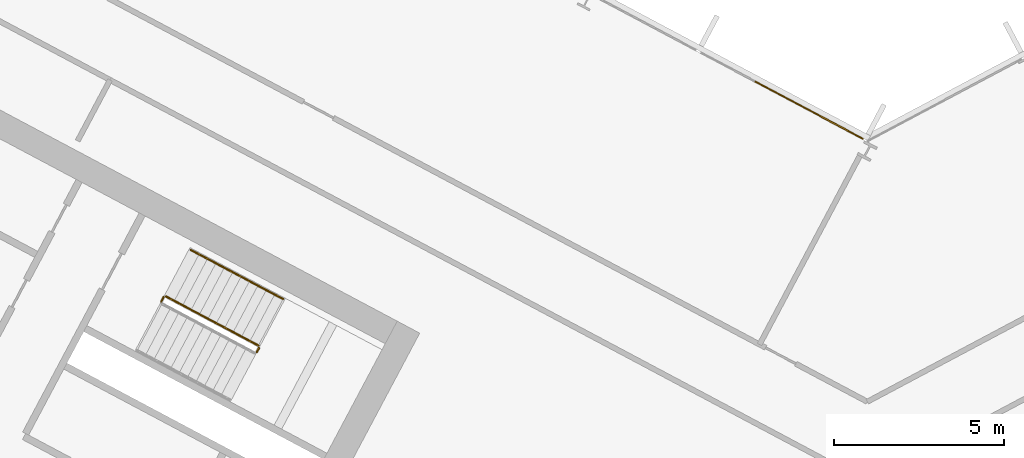
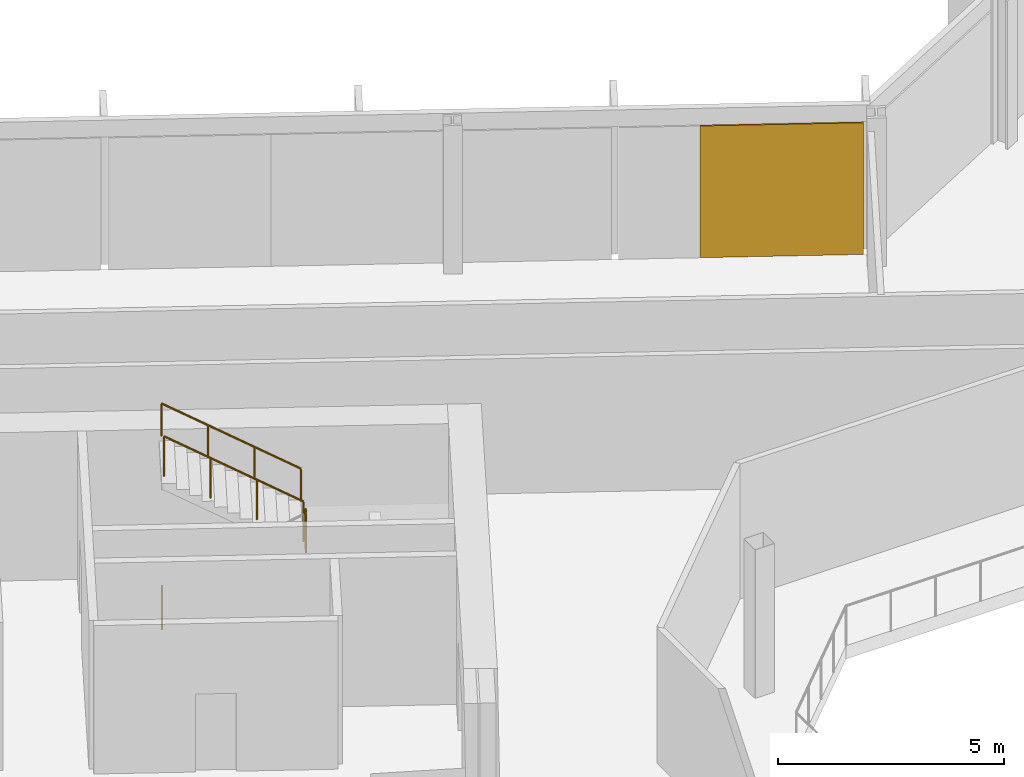
# One storey, part 23 of 28: 4 railings, 1 covering, 1 element without a shape of its own.
"""IFC4 building model written with IfcOpenShell, lengths in metres."""

from ifc_helpers import new_model, si_unit, direction, frame, origin, origin_2d, place, context, subcontext, project, spatial, polyline, rectangle, outline, extrude, material, layer, layer_set, type_object, element, aggregate, save


model = new_model("IFC4")

# Units and contexts
model_context = context("Model", 3, precision=1e-05, world=origin(), true_north=direction((0.0, 1.0)))
body_context = subcontext(model_context, "Body", "Model", "MODEL_VIEW")
ifc_project = project(units=[si_unit("LENGTHUNIT", "METRE"), si_unit("AREAUNIT", "SQUARE_METRE"), si_unit("VOLUMEUNIT", "CUBIC_METRE"), si_unit("PLANEANGLEUNIT", "RADIAN"), si_unit("MASSUNIT", "GRAM", prefix="KILO")], contexts=[model_context])

# Site, building, storey
site_placement = place(None, origin())
site = spatial("IfcSite", under=ifc_project, at=site_placement, CompositionType="ELEMENT")
building_placement = place(site_placement, origin())
building = spatial("IfcBuilding", under=site, at=building_placement, Name="Cormorant Relay Tower", CompositionType="ELEMENT")
storey_placement = place(building_placement, frame((0.0, 0.0, 134.199951171875)))
storey = spatial("IfcBuildingStorey", under=building, at=storey_placement, Name="L27", CompositionType="ELEMENT", Elevation=134.199951171875)

# Curtain wall, covering
ifc_material_1 = material(Name="Aluminium 6063-T6 anodised bronze", Category="aluminium")
ifc_layer_1 = layer(ifc_material_1, 0.199951171875)
ifc_layer_set_1 = layer_set([ifc_layer_1], Name="CW1 unitised bronze curtain wall with vertical fins")
curtain_wall_type = type_object("IfcCurtainWallType", Name="CW1 unitised bronze curtain wall with vertical fins", PredefinedType="NOTDEFINED", material=ifc_layer_set_1)
curtain_wall_placement = place(storey_placement, origin())
curtain_wall = element("IfcCurtainWall", 1, at=curtain_wall_placement, inside=storey, type_object=curtain_wall_type, Name="CW1 curtain wall 9", PredefinedType="NOTDEFINED")
ifc_material_2 = material(Name="Pale bronze anodised aluminium insulated panel", Category="aluminium")
ifc_layer_2 = layer(ifc_material_2, 0.0400390625)
ifc_layer_set_2 = layer_set([ifc_layer_2], Name="CW1 pale bronze insulated panel 40")
covering_type = type_object("IfcCoveringType", Name="CW1 pale bronze insulated panel 40", PredefinedType="CLADDING", material=ifc_layer_set_2)
covering_placement = place(storey_placement, frame((-1.718505859375, 24.720458984375, 0.0), z_axis=(0.0, 0.0, 1.0), x_axis=(-0.882947592859, 0.469471562786, 0.0)))
covering = element("IfcCovering", 2, at=covering_placement, type_object=covering_type, Name="CW1 panel S00", PredefinedType="CLADDING", context=body_context, shape_type="SweptSolid", body=[
    extrude(rectangle(XDim=3.614013671875, YDim=0.0400390625, at=origin_2d()), origin(), (0.0, 0.0, 1.0), 3.550048828125),
])
aggregate(curtain_wall, [covering])

# Railings
ifc_material_3 = material(Name="Steel ASTM A572 Grade 50 (Fy 345 MPa)", Category="steel")
railing_type_1 = type_object("IfcRailingType", Name="Stair guard 1100", PredefinedType="GUARDRAIL", material=ifc_material_3)
railing_1_placement = place(storey_placement, frame((-17.96337890625, 17.592529296875, 2.0)))
element("IfcRailing", 3, at=railing_1_placement, inside=storey, type_object=railing_type_1, Name="L27 A1 stair guard 2", PredefinedType="GUARDRAIL", context=body_context, shape_type="SweptSolid", body=[
    extrude(outline(polyline([(0.022216796875, 0.00927734375), (0.00927734375, 0.022216796875), (-0.00927734375, 0.022216796875), (-0.022216796875, 0.00927734375), (-0.022216796875, -0.00927734375), (-0.00927734375, -0.022216796875), (0.00927734375, -0.022216796875), (0.022216796875, -0.00927734375), (0.022216796875, 0.00927734375)])), frame((0.0, 0.0, 1.076171875), z_axis=(0.46856034887, 0.8834314911, 0.0), x_axis=(-0.8834314911, 0.46856034887, 0.0)), (0.0, 0.0, 1.0), 0.150146484375),
    extrude(outline(polyline([(0.019287109375, 0.008056640625), (0.008056640625, 0.019287109375), (-0.008056640625, 0.019287109375), (-0.019287109375, 0.008056640625), (-0.019287109375, -0.008056640625), (-0.008056640625, -0.019287109375), (0.008056640625, -0.019287109375), (0.019287109375, -0.008056640625), (0.019287109375, 0.008056640625)])), origin(), (0.0, 0.0, 1.0), 1.052001953125),
    extrude(outline(polyline([(0.019287109375, 0.008056640625), (0.008056640625, 0.019287109375), (-0.008056640625, 0.019287109375), (-0.019287109375, 0.008056640625), (-0.019287109375, -0.008056640625), (-0.008056640625, -0.019287109375), (0.008056640625, -0.019287109375), (0.019287109375, -0.008056640625), (0.019287109375, 0.008056640625)])), frame((0.0703125, 0.132568359375, 0.0)), (0.0, 0.0, 1.0), 1.052001953125),
])
railing_2_placement = place(storey_placement, frame((-17.913818359375, 17.792724609375, 2.166748046875)))
element("IfcRailing", 4, at=railing_2_placement, inside=storey, type_object=railing_type_1, Name="L27 A1 stair guard 3", PredefinedType="GUARDRAIL", context=body_context, shape_type="SweptSolid", body=[
    extrude(outline(polyline([(0.022216796875, 0.00927734375), (0.00927734375, 0.022216796875), (-0.00927734375, 0.022216796875), (-0.022216796875, 0.00927734375), (-0.022216796875, -0.00927734375), (-0.00927734375, -0.022216796875), (0.00927734375, -0.022216796875), (0.022216796875, -0.00927734375), (0.022216796875, 0.00927734375)])), frame((0.0, 0.0, 1.076171875), z_axis=(-0.758734504837, 0.403377838015, 0.511476559549), x_axis=(-0.469427602063, -0.882970965786, 0.0)), (0.0, 0.0, 1.0), 3.584228515625),
    extrude(outline(polyline([(0.019287109375, 0.008056640625), (0.008056640625, 0.019287109375), (-0.008056640625, 0.019287109375), (-0.019287109375, 0.008056640625), (-0.019287109375, -0.008056640625), (-0.008056640625, -0.019287109375), (0.008056640625, -0.019287109375), (0.019287109375, -0.008056640625), (0.019287109375, 0.008056640625)])), origin(), (0.0, 0.0, 1.0), 1.052001953125),
    extrude(outline(polyline([(0.019287109375, 0.008056640625), (0.008056640625, 0.019287109375), (-0.008056640625, 0.019287109375), (-0.019287109375, 0.008056640625), (-0.019287109375, -0.008056640625), (-0.008056640625, -0.019287109375), (0.008056640625, -0.019287109375), (0.019287109375, -0.008056640625), (0.019287109375, 0.008056640625)])), frame((-0.906494140625, 0.48193359375, 0.611083984375)), (0.0, 0.0, 1.0), 1.052001953125),
    extrude(outline(polyline([(0.019287109375, 0.008056640625), (0.008056640625, 0.019287109375), (-0.008056640625, 0.019287109375), (-0.019287109375, 0.008056640625), (-0.019287109375, -0.008056640625), (-0.008056640625, -0.019287109375), (0.008056640625, -0.019287109375), (0.019287109375, -0.008056640625), (0.019287109375, 0.008056640625)])), frame((-1.81298828125, 0.9638671875, 1.22216796875)), (0.0, 0.0, 1.0), 1.052001953125),
    extrude(outline(polyline([(0.019287109375, 0.008056640625), (0.008056640625, 0.019287109375), (-0.008056640625, 0.019287109375), (-0.019287109375, 0.008056640625), (-0.019287109375, -0.008056640625), (-0.008056640625, -0.019287109375), (0.008056640625, -0.019287109375), (0.019287109375, -0.008056640625), (0.019287109375, 0.008056640625)])), frame((-2.719482421875, 1.44580078125, 1.833251953125)), (0.0, 0.0, 1.0), 1.052001953125),
])
railing_3_placement = place(storey_placement, frame((-20.771240234375, 19.08544921875, 0.0)))
element("IfcRailing", 5, at=railing_3_placement, inside=storey, type_object=railing_type_1, Name="L27 A1 stair guard 4", PredefinedType="GUARDRAIL", context=body_context, shape_type="SweptSolid", body=[
    extrude(outline(polyline([(0.022216796875, 0.00927734375), (0.00927734375, 0.022216796875), (-0.00927734375, 0.022216796875), (-0.022216796875, 0.00927734375), (-0.022216796875, -0.00927734375), (-0.00927734375, -0.022216796875), (0.00927734375, -0.022216796875), (0.022216796875, -0.00927734375), (0.022216796875, 0.00927734375)])), frame((0.0, 0.0, 1.076171875), z_axis=(0.469828648786, 0.882757634224, 0.0), x_axis=(-0.882757634224, 0.469828648786, 0.0)), (0.0, 0.0, 1.0), 0.150146484375),
    extrude(outline(polyline([(0.019287109375, 0.008056640625), (0.008056640625, 0.019287109375), (-0.008056640625, 0.019287109375), (-0.019287109375, 0.008056640625), (-0.019287109375, -0.008056640625), (-0.008056640625, -0.019287109375), (0.008056640625, -0.019287109375), (0.019287109375, -0.008056640625), (0.019287109375, 0.008056640625)])), origin(), (0.0, 0.0, 1.0), 1.052001953125),
    extrude(outline(polyline([(0.019287109375, 0.008056640625), (0.008056640625, 0.019287109375), (-0.008056640625, 0.019287109375), (-0.019287109375, 0.008056640625), (-0.019287109375, -0.008056640625), (-0.008056640625, -0.019287109375), (0.008056640625, -0.019287109375), (0.019287109375, -0.008056640625), (0.019287109375, 0.008056640625)])), frame((0.070556640625, 0.132568359375, 0.0)), (0.0, 0.0, 1.0), 1.052001953125),
])
ifc_material_4 = material(Name="Steel ASTM A572 Grade 50 (Fy 345 MPa)", Category="steel")
railing_type_2 = type_object("IfcRailingType", Name="Stair handrail 900", PredefinedType="HANDRAIL", material=ifc_material_4)
railing_4_placement = place(storey_placement, frame((-17.18603515625, 19.1611328125, 2.166748046875)))
element("IfcRailing", 6, at=railing_4_placement, inside=storey, type_object=railing_type_2, Name="L27 A1 stair handrail 2", PredefinedType="HANDRAIL", context=body_context, shape_type="SweptSolid", body=[
    extrude(outline(polyline([(0.022216796875, 0.00927734375), (0.00927734375, 0.022216796875), (-0.00927734375, 0.022216796875), (-0.022216796875, 0.00927734375), (-0.022216796875, -0.00927734375), (-0.00927734375, -0.022216796875), (0.00927734375, -0.022216796875), (0.022216796875, -0.00927734375), (0.022216796875, 0.00927734375)])), frame((0.0, 0.0, 0.8759765625), z_axis=(-0.758713656843, 0.403434867536, 0.511462505542), x_axis=(-0.469489399267, -0.882938108802, 0.0)), (0.0, 0.0, 1.0), 3.584228515625),
    extrude(outline(polyline([(0.019287109375, 0.008056640625), (0.008056640625, 0.019287109375), (-0.008056640625, 0.019287109375), (-0.019287109375, 0.008056640625), (-0.019287109375, -0.008056640625), (-0.008056640625, -0.019287109375), (0.008056640625, -0.019287109375), (0.019287109375, -0.008056640625), (0.019287109375, 0.008056640625)])), origin(), (0.0, 0.0, 1.0), 0.851806640625),
    extrude(outline(polyline([(0.019287109375, 0.008056640625), (0.008056640625, 0.019287109375), (-0.008056640625, 0.019287109375), (-0.019287109375, 0.008056640625), (-0.019287109375, -0.008056640625), (-0.008056640625, -0.019287109375), (0.008056640625, -0.019287109375), (0.019287109375, -0.008056640625), (0.019287109375, 0.008056640625)])), frame((-0.906494140625, 0.48193359375, 0.611083984375)), (0.0, 0.0, 1.0), 0.851806640625),
    extrude(outline(polyline([(0.019287109375, 0.008056640625), (0.008056640625, 0.019287109375), (-0.008056640625, 0.019287109375), (-0.019287109375, 0.008056640625), (-0.019287109375, -0.008056640625), (-0.008056640625, -0.019287109375), (0.008056640625, -0.019287109375), (0.019287109375, -0.008056640625), (0.019287109375, 0.008056640625)])), frame((-1.81298828125, 0.964111328125, 1.22216796875)), (0.0, 0.0, 1.0), 0.851806640625),
    extrude(outline(polyline([(0.019287109375, 0.008056640625), (0.008056640625, 0.019287109375), (-0.008056640625, 0.019287109375), (-0.019287109375, 0.008056640625), (-0.019287109375, -0.008056640625), (-0.008056640625, -0.019287109375), (0.008056640625, -0.019287109375), (0.019287109375, -0.008056640625), (0.019287109375, 0.008056640625)])), frame((-2.719482421875, 1.446044921875, 1.833251953125)), (0.0, 0.0, 1.0), 0.851806640625),
])

save(model, "model.ifc")
